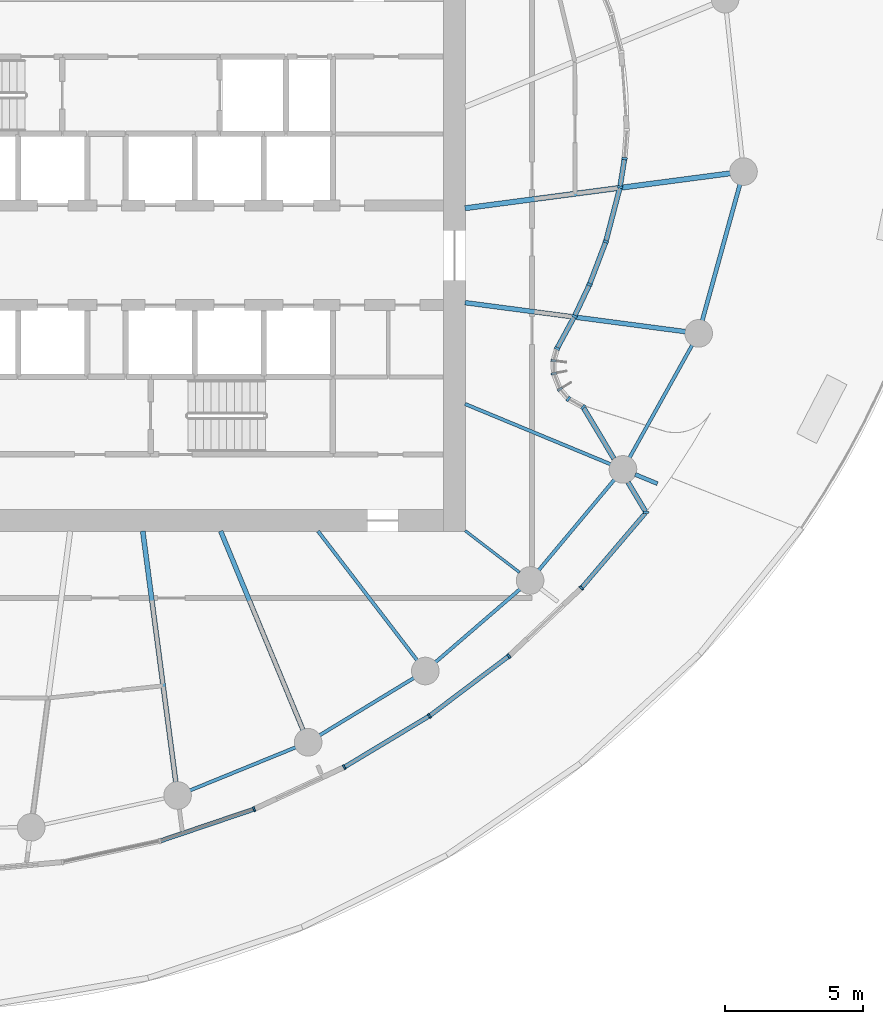
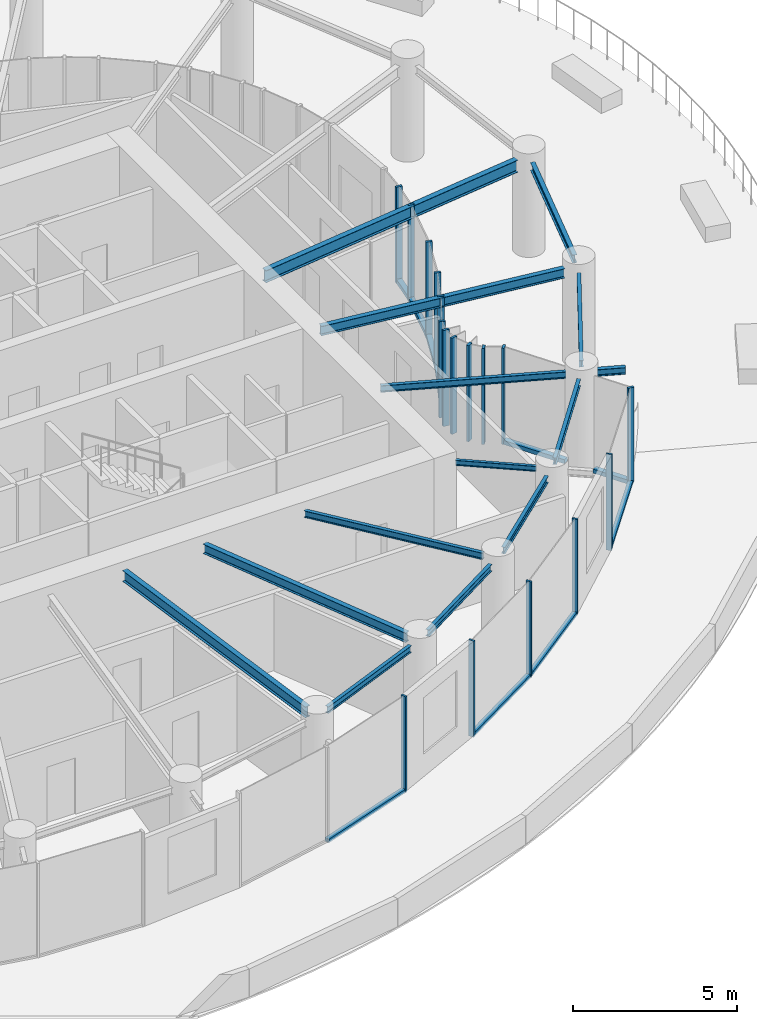
# One storey, part 3 of 21: 28 members, 14 beams, 4 elements without a shape of their own.
"""IFC4 building model written with IfcOpenShell, lengths in metres."""

from ifc_helpers import new_model, si_unit, direction, frame, origin, origin_2d, place, context, subcontext, project, spatial, rectangle, i_section, extrude, source, transform, mapped, material, layer, layer_set, material_profile, profile_set, type_object, element, aggregate, save


model = new_model("IFC4")

# Units and contexts
model_context = context("Model", 3, precision=1e-05, world=origin(), true_north=direction((0.0, 1.0)))
body_context = subcontext(model_context, "Body", "Model", "MODEL_VIEW")
ifc_project = project(units=[si_unit("LENGTHUNIT", "METRE"), si_unit("AREAUNIT", "SQUARE_METRE"), si_unit("VOLUMEUNIT", "CUBIC_METRE"), si_unit("PLANEANGLEUNIT", "RADIAN"), si_unit("MASSUNIT", "GRAM", prefix="KILO")], contexts=[model_context])

# Site, building, storey
site_placement = place(None, origin())
site = spatial("IfcSite", under=ifc_project, at=site_placement, CompositionType="ELEMENT")
building_placement = place(site_placement, origin())
building = spatial("IfcBuilding", under=site, at=building_placement, Name="Spindrift Exchange Tower", CompositionType="ELEMENT")
storey_placement = place(building_placement, frame((0.0, 0.0, 133.10009765625)))
storey = spatial("IfcBuildingStorey", under=building, at=storey_placement, Name="L31", CompositionType="ELEMENT", Elevation=133.10009765625)

# Beams
ifc_material_1 = material(Name="Steel Grade 300", Category="steel")
ifc_material_profile_1 = material_profile(ifc_material_1, i_section(OverallWidth=0.18994140625, OverallDepth=0.4541015625, WebThickness=0.008544921875, FlangeThickness=0.0126953125, FilletRadius=0.013916015625, at=origin_2d()), Name="460UB67.1")
ifc_profile_set_1 = profile_set([ifc_material_profile_1], Name="Steel Grade 300")
beam_type_1 = type_object("IfcBeamType", Name="Floor Beam 460UB67.1 Steel Grade 300", PredefinedType="BEAM", material=ifc_profile_set_1)
shared_shape_1 = source(origin(), body_context, "Body", "SweptSolid", [
    extrude(i_section(OverallWidth=0.18994140625, OverallDepth=0.4541015625, WebThickness=0.008544921875, FlangeThickness=0.0126953125, FilletRadius=0.013916015625, at=origin_2d()), origin(), (0.0, 0.0, 1.0), 9.688720703125),
])
beam_1_placement = place(storey_placement, frame((64.980224609375, 49.708984375, 3.352783203125), z_axis=(0.991448119245, 0.130501443846, 0.0), x_axis=(-0.130501443846, 0.991448119245, 0.0)))
element("IfcBeam", 1, at=beam_1_placement, inside=storey, type_object=beam_type_1, Name="L31 radial beam R01A", PredefinedType="BEAM", context=body_context, shape_type="MappedRepresentation", body=[
    mapped(shared_shape_1, transform((0.0, 0.0, 0.0), scale=1.0)),
])
ifc_material_profile_2 = material_profile(ifc_material_1, i_section(OverallWidth=0.177978515625, OverallDepth=0.403076171875, WebThickness=0.007568359375, FlangeThickness=0.010986328125, FilletRadius=0.013916015625, at=origin_2d()), Name="410UB53.7")
ifc_profile_set_2 = profile_set([ifc_material_profile_2], Name="Steel Grade 300")
beam_type_2 = type_object("IfcBeamType", Name="Floor Beam 410UB53.7 Steel Grade 300", PredefinedType="BEAM", material=ifc_profile_set_2)
shared_shape_2 = source(origin(), body_context, "Body", "SweptSolid", [
    extrude(i_section(OverallWidth=0.177978515625, OverallDepth=0.403076171875, WebThickness=0.007568359375, FlangeThickness=0.010986328125, FilletRadius=0.013916015625, at=origin_2d()), origin(), (0.0, 0.0, 1.0), 9.173583984375),
])
beam_2_placement = place(storey_placement, frame((53.31396484375, 38.019775390625, 3.37841796875), z_axis=(0.130510963431, -0.991446866163, 0.0), x_axis=(0.991446866163, 0.130510963431, 0.0)))
element("IfcBeam", 2, at=beam_2_placement, inside=storey, type_object=beam_type_2, Name="L31 radial beam R19A", PredefinedType="BEAM", context=body_context, shape_type="MappedRepresentation", body=[
    mapped(shared_shape_2, transform((0.0, 0.0, 0.0), scale=1.0)),
])
ifc_material_profile_3 = material_profile(ifc_material_1, i_section(OverallWidth=0.1708984375, OverallDepth=0.35205078125, WebThickness=0.0068359375, FlangeThickness=0.009765625, FilletRadius=0.013916015625, at=origin_2d()), Name="360UB44.7")
ifc_profile_set_3 = profile_set([ifc_material_profile_3], Name="Steel Grade 300")
beam_type_3 = type_object("IfcBeamType", Name="Floor Beam 360UB44.7 Steel Grade 300", PredefinedType="BEAM", material=ifc_profile_set_3)
shared_shape_3 = source(origin(), body_context, "Body", "SweptSolid", [
    extrude(i_section(OverallWidth=0.1708984375, OverallDepth=0.35205078125, WebThickness=0.0068359375, FlangeThickness=0.009765625, FilletRadius=0.013916015625, at=origin_2d()), origin(), (0.0, 0.0, 1.0), 7.794189453125),
])
beam_3_placement = place(storey_placement, frame((56.134521484375, 38.0185546875, 3.40380859375), z_axis=(0.382677309185, -0.923882068792, 0.0), x_axis=(0.923882068792, 0.382677309185, 0.0)))
element("IfcBeam", 3, at=beam_3_placement, inside=storey, type_object=beam_type_3, Name="L31 radial beam R20A", PredefinedType="BEAM", context=body_context, shape_type="MappedRepresentation", body=[
    mapped(shared_shape_3, transform((0.0, 0.0, 0.0), scale=1.0)),
])
ifc_material_profile_4 = material_profile(ifc_material_1, i_section(OverallWidth=0.1240234375, OverallDepth=0.248046875, WebThickness=0.0048828125, FlangeThickness=0.008056640625, FilletRadius=0.011962890625, at=origin_2d()), Name="250UB25.7")
ifc_profile_set_4 = profile_set([ifc_material_profile_4], Name="Steel Grade 300")
beam_type_4 = type_object("IfcBeamType", Name="Floor Beam 250UB25.7 Steel Grade 300", PredefinedType="BEAM", material=ifc_profile_set_4)
shared_shape_4 = source(origin(), body_context, "Body", "SweptSolid", [
    extrude(i_section(OverallWidth=0.1240234375, OverallDepth=0.248046875, WebThickness=0.0048828125, FlangeThickness=0.008056640625, FilletRadius=0.011962890625, at=origin_2d()), origin(), (0.0, 0.0, 1.0), 5.898193359375),
])
beam_4_placement = place(storey_placement, frame((59.6611328125, 38.015869140625, 3.455810546875), z_axis=(0.608752144407, -0.79336046453, 0.0), x_axis=(0.79336046453, 0.608752144407, 0.0)))
element("IfcBeam", 4, at=beam_4_placement, inside=storey, type_object=beam_type_4, Name="L31 radial beam R21A", PredefinedType="BEAM", context=body_context, shape_type="MappedRepresentation", body=[
    mapped(shared_shape_4, transform((0.0, 0.0, 0.0), scale=1.0)),
])
ifc_material_profile_5 = material_profile(ifc_material_1, i_section(OverallWidth=0.09912109375, OverallDepth=0.197998046875, WebThickness=0.00439453125, FlangeThickness=0.007080078125, FilletRadius=0.010986328125, at=origin_2d()), Name="200UB18.2")
ifc_profile_set_5 = profile_set([ifc_material_profile_5], Name="Steel Grade 300")
beam_type_5 = type_object("IfcBeamType", Name="Floor Beam 200UB18.2 Steel Grade 300", PredefinedType="BEAM", material=ifc_profile_set_5)
shared_shape_5 = source(origin(), body_context, "Body", "SweptSolid", [
    extrude(i_section(OverallWidth=0.09912109375, OverallDepth=0.197998046875, WebThickness=0.00439453125, FlangeThickness=0.007080078125, FilletRadius=0.010986328125, at=origin_2d()), origin(), (0.0, 0.0, 1.0), 2.48486328125),
])
beam_5_placement = place(storey_placement, frame((64.984130859375, 38.036865234375, 3.48095703125), z_axis=(0.793361189889, -0.608751199077, 0.0), x_axis=(0.608751199077, 0.793361189889, 0.0)))
element("IfcBeam", 5, at=beam_5_placement, inside=storey, type_object=beam_type_5, Name="L31 radial beam R22A", PredefinedType="BEAM", context=body_context, shape_type="MappedRepresentation", body=[
    mapped(shared_shape_5, transform((0.0, 0.0, 0.0), scale=1.0)),
])
shared_shape_6 = source(origin(), body_context, "Body", "SweptSolid", [
    extrude(i_section(OverallWidth=0.1240234375, OverallDepth=0.248046875, WebThickness=0.0048828125, FlangeThickness=0.008056640625, FilletRadius=0.011962890625, at=origin_2d()), origin(), (0.0, 0.0, 1.0), 5.708984375),
])
beam_6_placement = place(storey_placement, frame((64.9814453125, 42.622802734375, 3.455810546875), z_axis=(0.923889659334, -0.382658983138, 0.0), x_axis=(0.382658983138, 0.923889659334, 0.0)))
element("IfcBeam", 6, at=beam_6_placement, inside=storey, type_object=beam_type_4, Name="L31 radial beam R23A", PredefinedType="BEAM", context=body_context, shape_type="MappedRepresentation", body=[
    mapped(shared_shape_6, transform((0.0, 0.0, 0.0), scale=1.0)),
])
ifc_material_profile_6 = material_profile(ifc_material_1, i_section(OverallWidth=0.14599609375, OverallDepth=0.251953125, WebThickness=0.006103515625, FlangeThickness=0.008544921875, FilletRadius=0.011962890625, at=origin_2d()), Name="250UB31.4")
ifc_profile_set_6 = profile_set([ifc_material_profile_6], Name="Steel Grade 300")
beam_type_6 = type_object("IfcBeamType", Name="Cantilever Beam 250UB31.4 Steel Grade 300", PredefinedType="BEAM", material=ifc_profile_set_6)
shared_shape_7 = source(origin(), body_context, "Body", "SweptSolid", [
    extrude(i_section(OverallWidth=0.14599609375, OverallDepth=0.251953125, WebThickness=0.006103515625, FlangeThickness=0.008544921875, FilletRadius=0.011962890625, at=origin_2d()), origin(), (0.0, 0.0, 1.0), 0.87109375),
])
beam_7_placement = place(storey_placement, frame((71.142822265625, 40.07080078125, 3.453857421875), z_axis=(0.923804986422, -0.382863352989, 0.0), x_axis=(0.382863352989, 0.923804986422, 0.0)))
element("IfcBeam", 7, at=beam_7_placement, inside=storey, type_object=beam_type_6, Name="L31 cantilever beam R23T", PredefinedType="BEAM", context=body_context, shape_type="MappedRepresentation", body=[
    mapped(shared_shape_7, transform((0.0, 0.0, 0.0), scale=1.0)),
])
shared_shape_8 = source(origin(), body_context, "Body", "SweptSolid", [
    extrude(i_section(OverallWidth=0.1708984375, OverallDepth=0.35205078125, WebThickness=0.0068359375, FlangeThickness=0.009765625, FilletRadius=0.013916015625, at=origin_2d()), origin(), (0.0, 0.0, 1.0), 8.0537109375),
])
beam_8_placement = place(storey_placement, frame((64.980224609375, 46.291015625, 3.40380859375), z_axis=(0.991448103694, -0.130501561989, 0.0), x_axis=(0.130501561989, 0.991448103694, 0.0)))
element("IfcBeam", 8, at=beam_8_placement, inside=storey, type_object=beam_type_3, Name="L31 radial beam R24A", PredefinedType="BEAM", context=body_context, shape_type="MappedRepresentation", body=[
    mapped(shared_shape_8, transform((0.0, 0.0, 0.0), scale=1.0)),
])
ifc_material_profile_7 = material_profile(ifc_material_1, i_section(OverallWidth=0.1240234375, OverallDepth=0.248046875, WebThickness=0.0048828125, FlangeThickness=0.008056640625, FilletRadius=0.011962890625, at=origin_2d()), Name="250UB25.7")
ifc_profile_set_7 = profile_set([ifc_material_profile_7], Name="Steel Grade 300")
beam_type_7 = type_object("IfcBeamType", Name="Edge Beam 250UB25.7 Steel Grade 300", PredefinedType="SPANDREL", material=ifc_profile_set_7)
shared_shape_9 = source(origin(), body_context, "Body", "SweptSolid", [
    extrude(i_section(OverallWidth=0.1240234375, OverallDepth=0.248046875, WebThickness=0.0048828125, FlangeThickness=0.008056640625, FilletRadius=0.011962890625, at=origin_2d()), origin(), (0.0, 0.0, 1.0), 4.143798828125),
])
beam_9_placement = place(storey_placement, frame((55.0185546875, 28.6298828125, 3.455810546875), z_axis=(0.926113706975, 0.377244485385, 0.0), x_axis=(-0.377244485385, 0.926113706975, 0.0)))
element("IfcBeam", 9, at=beam_9_placement, inside=storey, type_object=beam_type_7, Name="L31 edge beam E19", PredefinedType="SPANDREL", context=body_context, shape_type="MappedRepresentation", body=[
    mapped(shared_shape_9, transform((0.0, 0.0, 0.0), scale=1.0)),
])
shared_shape_10 = source(origin(), body_context, "Body", "SweptSolid", [
    extrude(i_section(OverallWidth=0.1240234375, OverallDepth=0.248046875, WebThickness=0.0048828125, FlangeThickness=0.008056640625, FilletRadius=0.011962890625, at=origin_2d()), origin(), (0.0, 0.0, 1.0), 4.00634765625),
])
beam_10_placement = place(storey_placement, frame((59.7109375, 30.623779296875, 3.455810546875), z_axis=(0.854331495603, 0.519728482596, 0.0), x_axis=(-0.519728482596, 0.854331495603, 0.0)))
element("IfcBeam", 10, at=beam_10_placement, inside=storey, type_object=beam_type_7, Name="L31 edge beam E20", PredefinedType="SPANDREL", context=body_context, shape_type="MappedRepresentation", body=[
    mapped(shared_shape_10, transform((0.0, 0.0, 0.0), scale=1.0)),
])
shared_shape_11 = source(origin(), body_context, "Body", "SweptSolid", [
    extrude(i_section(OverallWidth=0.1240234375, OverallDepth=0.248046875, WebThickness=0.0048828125, FlangeThickness=0.008056640625, FilletRadius=0.011962890625, at=origin_2d()), origin(), (0.0, 0.0, 1.0), 4.052001953125),
])
beam_11_placement = place(storey_placement, frame((63.906982421875, 33.269287109375, 3.455810546875), z_axis=(0.756715968535, 0.65374379, 0.0), x_axis=(-0.65374379, 0.756715968535, 0.0)))
element("IfcBeam", 11, at=beam_11_placement, inside=storey, type_object=beam_type_7, Name="L31 edge beam E21", PredefinedType="SPANDREL", context=body_context, shape_type="MappedRepresentation", body=[
    mapped(shared_shape_11, transform((0.0, 0.0, 0.0), scale=1.0)),
])
shared_shape_12 = source(origin(), body_context, "Body", "SweptSolid", [
    extrude(i_section(OverallWidth=0.1240234375, OverallDepth=0.248046875, WebThickness=0.0048828125, FlangeThickness=0.008056640625, FilletRadius=0.011962890625, at=origin_2d()), origin(), (0.0, 0.0, 1.0), 4.282958984375),
])
beam_12_placement = place(storey_placement, frame((67.644287109375, 36.600341796875, 3.455810546875), z_axis=(0.641400288548, 0.767206406289, 0.0), x_axis=(-0.767206406289, 0.641400288548, 0.0)))
element("IfcBeam", 12, at=beam_12_placement, inside=storey, type_object=beam_type_7, Name="L31 edge beam E22", PredefinedType="SPANDREL", context=body_context, shape_type="MappedRepresentation", body=[
    mapped(shared_shape_12, transform((0.0, 0.0, 0.0), scale=1.0)),
])
shared_shape_13 = source(origin(), body_context, "Body", "SweptSolid", [
    extrude(i_section(OverallWidth=0.1240234375, OverallDepth=0.248046875, WebThickness=0.0048828125, FlangeThickness=0.008056640625, FilletRadius=0.011962890625, at=origin_2d()), origin(), (0.0, 0.0, 1.0), 4.6748046875),
])
beam_13_placement = place(storey_placement, frame((70.932861328125, 40.673828125, 3.455810546875), z_axis=(0.486587145143, 0.873632045075, 0.0), x_axis=(-0.873632045075, 0.486587145143, 0.0)))
element("IfcBeam", 13, at=beam_13_placement, inside=storey, type_object=beam_type_7, Name="L31 edge beam E23", PredefinedType="SPANDREL", context=body_context, shape_type="MappedRepresentation", body=[
    mapped(shared_shape_13, transform((0.0, 0.0, 0.0), scale=1.0)),
])
ifc_material_profile_8 = material_profile(ifc_material_1, i_section(OverallWidth=0.14892578125, OverallDepth=0.298095703125, WebThickness=0.005615234375, FlangeThickness=0.008056640625, FilletRadius=0.012939453125, at=origin_2d()), Name="310UB32.0")
ifc_profile_set_8 = profile_set([ifc_material_profile_8], Name="Steel Grade 300")
beam_type_8 = type_object("IfcBeamType", Name="Edge Beam 310UB32.0 Steel Grade 300", PredefinedType="SPANDREL", material=ifc_profile_set_8)
shared_shape_14 = source(origin(), body_context, "Body", "SweptSolid", [
    extrude(i_section(OverallWidth=0.14892578125, OverallDepth=0.298095703125, WebThickness=0.005615234375, FlangeThickness=0.008056640625, FilletRadius=0.012939453125, at=origin_2d()), origin(), (0.0, 0.0, 1.0), 5.118896484375),
])
beam_14_placement = place(storey_placement, frame((73.569091796875, 45.639892578125, 3.430908203125), z_axis=(0.266654866605, 0.963792084485, 0.0), x_axis=(-0.963792084485, 0.266654866605, 0.0)))
element("IfcBeam", 14, at=beam_14_placement, inside=storey, type_object=beam_type_8, Name="L31 edge beam E24", PredefinedType="SPANDREL", context=body_context, shape_type="MappedRepresentation", body=[
    mapped(shared_shape_14, transform((0.0, 0.0, 0.0), scale=1.0)),
])

# Curtain wall, members
ifc_material_2 = material(Name="Fritted laminated glass with bronze frame", Category="glass")
ifc_layer_1 = layer(ifc_material_2, 0.179931640625)
ifc_layer_set_1 = layer_set([ifc_layer_1], Name="ZONE 3 BRONZE FRITTED WALL")
curtain_wall_type_1 = type_object("IfcCurtainWallType", Name="ZONE 3 BRONZE FRITTED WALL", PredefinedType="NOTDEFINED", material=ifc_layer_set_1)
curtain_wall_1_placement = place(storey_placement, origin())
curtain_wall_1 = element("IfcCurtainWall", 15, at=curtain_wall_1_placement, inside=storey, type_object=curtain_wall_type_1, Name="L31 Zone 3 Bronze Fritted Wall run 4", PredefinedType="NOTDEFINED")
ifc_material_3 = material(Name="Bronze anodised aluminium", Category="aluminium")
ifc_material_profile_9 = material_profile(ifc_material_3, rectangle(XDim=0.070068359375, YDim=0.179931640625, at=origin_2d()), Name="ZONE 3 BRONZE FRITTED WALL MULLION 70X180")
ifc_profile_set_9 = profile_set([ifc_material_profile_9], Name="Bronze anodised aluminium")
member_type_1 = type_object("IfcMemberType", Name="ZONE 3 BRONZE FRITTED WALL MULLION 70X180", PredefinedType="MULLION", material=ifc_profile_set_9)
shared_shape_15 = source(origin(), body_context, "Body", "SweptSolid", [
    extrude(rectangle(XDim=0.070068359375, YDim=0.179931640625, at=origin_2d()), origin(), (0.0, 0.0, 1.0), 3.579833984375),
])
member_1_placement = place(storey_placement, frame((57.343505859375, 27.95458984375, 0.0), z_axis=(0.0, 0.0, 1.0), x_axis=(0.928167943647, 0.37216161595, 0.0)))
member_1 = element("IfcMember", 16, at=member_1_placement, type_object=member_type_1, Name="L31 mullion CW-3.23", PredefinedType="MULLION", context=body_context, shape_type="MappedRepresentation", body=[
    mapped(shared_shape_15, transform((0.0, 0.0, 0.0), scale=1.0)),
])
member_2_placement = place(storey_placement, frame((60.60791015625, 29.47412109375, 0.0), z_axis=(0.0, 0.0, 1.0), x_axis=(0.883049821579, 0.469279248006, 0.0)))
member_2 = element("IfcMember", 17, at=member_2_placement, type_object=member_type_1, Name="L31 mullion CW-3.24", PredefinedType="MULLION", context=body_context, shape_type="MappedRepresentation", body=[
    mapped(shared_shape_15, transform((0.0, 0.0, 0.0), scale=1.0)),
])

curtain_wall_2_placement = place(storey_placement, origin())
curtain_wall_2 = element("IfcCurtainWall", 18, at=curtain_wall_2_placement, inside=storey, type_object=curtain_wall_type_1, Name="L31 Zone 3 Bronze Fritted Wall run 5", PredefinedType="NOTDEFINED")
member_3_placement = place(storey_placement, frame((63.694091796875, 31.32958984375, 0.0), z_axis=(0.0, 0.0, 1.0), x_axis=(0.82883666761, 0.559490641947, 0.0)))
member_3 = element("IfcMember", 19, at=member_3_placement, type_object=member_type_1, Name="L31 mullion CW-3.25", PredefinedType="MULLION", context=body_context, shape_type="MappedRepresentation", body=[
    mapped(shared_shape_15, transform((0.0, 0.0, 0.0), scale=1.0)),
])
member_4_placement = place(storey_placement, frame((66.56884765625, 33.498046875, 0.0), z_axis=(0.0, 0.0, 1.0), x_axis=(0.765053480633, 0.643966747411, 0.0)))
member_4 = element("IfcMember", 20, at=member_4_placement, type_object=member_type_1, Name="L31 mullion CW-3.26", PredefinedType="MULLION", context=body_context, shape_type="MappedRepresentation", body=[
    mapped(shared_shape_15, transform((0.0, 0.0, 0.0), scale=1.0)),
])
member_5_placement = place(storey_placement, frame((69.19580078125, 35.96044921875, 0.0), z_axis=(0.0, 0.0, 1.0), x_axis=(0.690468894176, 0.723362085111, 0.0)))
member_5 = element("IfcMember", 21, at=member_5_placement, type_object=member_type_1, Name="L31 mullion CW-3.27", PredefinedType="MULLION", context=body_context, shape_type="MappedRepresentation", body=[
    mapped(shared_shape_15, transform((0.0, 0.0, 0.0), scale=1.0)),
])

# Member
ifc_material_profile_10 = material_profile(ifc_material_3, rectangle(XDim=0.159912109375, YDim=0.1298828125, at=origin_2d()), Name="ZONE 3 BRONZE FRITTED WALL TRANSOM 160X130")
ifc_profile_set_10 = profile_set([ifc_material_profile_10], Name="Bronze anodised aluminium")
member_type_2 = type_object("IfcMemberType", Name="ZONE 3 BRONZE FRITTED WALL TRANSOM 160X130", PredefinedType="USERDEFINED", material=ifc_profile_set_10)
shared_shape_16 = source(origin(), body_context, "Body", "SweptSolid", [
    extrude(rectangle(XDim=0.159912109375, YDim=0.1298828125, at=origin_2d()), origin(), (0.0, 0.0, 1.0), 3.53076171875),
])
member_6_placement = place(storey_placement, frame((53.966552734375, 26.809326171875, 0.06494140625), z_axis=(0.947017764418, 0.321181185435, 0.0), x_axis=(-0.321181185435, 0.947017764418, 0.0)))
member_6 = element("IfcMember", 22, at=member_6_placement, type_object=member_type_2, Name="L31 transom CW-3.22", ObjectType="TRANSOM", PredefinedType="USERDEFINED", context=body_context, shape_type="MappedRepresentation", body=[
    mapped(shared_shape_16, transform((0.0, 0.0, 0.0), scale=1.0)),
])

member_7_placement = place(storey_placement, frame((63.721923828125, 31.3505859375, 0.06494140625), z_axis=(0.798354103571, 0.602188280616, 0.0), x_axis=(-0.602188280616, 0.798354103571, 0.0)))
member_7 = element("IfcMember", 23, at=member_7_placement, type_object=member_type_2, Name="L31 transom CW-3.25", ObjectType="TRANSOM", PredefinedType="USERDEFINED", context=body_context, shape_type="MappedRepresentation", body=[
    mapped(shared_shape_16, transform((0.0, 0.0, 0.0), scale=1.0)),
])

shared_shape_17 = source(origin(), body_context, "Body", "SweptSolid", [
    extrude(rectangle(XDim=0.159912109375, YDim=0.1298828125, at=origin_2d()), origin(), (0.0, 0.0, 1.0), 3.531005859375),
])
member_8_placement = place(storey_placement, frame((60.637939453125, 29.4921875, 0.06494140625), z_axis=(0.857035018604, 0.515258165279, 0.0), x_axis=(-0.515258165279, 0.857035018604, 0.0)))
member_8 = element("IfcMember", 24, at=member_8_placement, type_object=member_type_2, Name="L31 transom CW-3.24", ObjectType="TRANSOM", PredefinedType="USERDEFINED", context=body_context, shape_type="MappedRepresentation", body=[
    mapped(shared_shape_17, transform((0.0, 0.0, 0.0), scale=1.0)),
])

aggregate(curtain_wall_1, [member_6, member_1, member_2, member_8])

shared_shape_18 = source(origin(), body_context, "Body", "SweptSolid", [
    extrude(rectangle(XDim=0.159912109375, YDim=0.1298828125, at=origin_2d()), origin(), (0.0, 0.0, 1.0), 3.530517578125),
])
member_9_placement = place(storey_placement, frame((69.218505859375, 35.987060546875, 0.06494140625), z_axis=(0.649246769943, 0.760577827522, 0.0), x_axis=(-0.760577827522, 0.649246769943, 0.0)))
member_9 = element("IfcMember", 25, at=member_9_placement, type_object=member_type_2, Name="L31 transom CW-3.27", ObjectType="TRANSOM", PredefinedType="USERDEFINED", context=body_context, shape_type="MappedRepresentation", body=[
    mapped(shared_shape_18, transform((0.0, 0.0, 0.0), scale=1.0)),
])

aggregate(curtain_wall_2, [member_3, member_7, member_4, member_5, member_9])

# Curtain wall, members
ifc_layer_2 = layer(ifc_material_2, 0.199951171875)
ifc_layer_set_2 = layer_set([ifc_layer_2], Name="SKY GARDEN BRONZE GLAZED WALL")
curtain_wall_type_2 = type_object("IfcCurtainWallType", Name="SKY GARDEN BRONZE GLAZED WALL", PredefinedType="NOTDEFINED", material=ifc_layer_set_2)
curtain_wall_3_placement = place(storey_placement, origin())
curtain_wall_3 = element("IfcCurtainWall", 26, at=curtain_wall_3_placement, inside=storey, type_object=curtain_wall_type_2, Name="L31 Sky Garden Bronze Glazed Wall run 6", PredefinedType="NOTDEFINED")
ifc_material_profile_11 = material_profile(ifc_material_3, rectangle(XDim=0.0849609375, YDim=0.199951171875, at=origin_2d()), Name="SKY GARDEN BRONZE GLAZED WALL MULLION 85X200")
ifc_profile_set_11 = profile_set([ifc_material_profile_11], Name="Bronze anodised aluminium")
member_type_3 = type_object("IfcMemberType", Name="SKY GARDEN BRONZE GLAZED WALL MULLION 85X200", PredefinedType="MULLION", material=ifc_profile_set_11)
shared_shape_19 = source(origin(), body_context, "Body", "SweptSolid", [
    extrude(rectangle(XDim=0.0849609375, YDim=0.199951171875, at=origin_2d()), origin(), (0.0, 0.0, 1.0), 3.579833984375),
])
member_10_placement = place(storey_placement, frame((71.533447265625, 38.69921875, 0.0), z_axis=(0.0, 0.0, 1.0), x_axis=(0.084013001167, 0.996464658498, 0.0)))
member_10 = element("IfcMember", 27, at=member_10_placement, type_object=member_type_3, Name="L31 mullion CW-G.28", PredefinedType="MULLION", context=body_context, shape_type="MappedRepresentation", body=[
    mapped(shared_shape_19, transform((0.0, 0.0, 0.0), scale=1.0)),
])
member_11_placement = place(storey_placement, frame((69.2568359375, 42.51123046875, 0.0), z_axis=(0.0, 0.0, 1.0), x_axis=(-0.719333347293, 0.694665052722, 0.0)))
member_11 = element("IfcMember", 28, at=member_11_placement, type_object=member_type_3, Name="L31 mullion CW-G.29", PredefinedType="MULLION", context=body_context, shape_type="MappedRepresentation", body=[
    mapped(shared_shape_19, transform((0.0, 0.0, 0.0), scale=1.0)),
])
member_12_placement = place(storey_placement, frame((68.722412109375, 42.8056640625, 0.0), z_axis=(0.0, 0.0, 1.0), x_axis=(-0.778922018723, 0.627120792789, 0.0)))
member_12 = element("IfcMember", 29, at=member_12_placement, type_object=member_type_3, Name="L31 mullion CW-G.30", PredefinedType="MULLION", context=body_context, shape_type="MappedRepresentation", body=[
    mapped(shared_shape_19, transform((0.0, 0.0, 0.0), scale=1.0)),
])
member_13_placement = place(storey_placement, frame((68.415771484375, 43.15625, 0.0), z_axis=(0.0, 0.0, 1.0), x_axis=(-0.517977594342, 0.855394185016, 0.0)))
member_13 = element("IfcMember", 30, at=member_13_placement, type_object=member_type_3, Name="L31 mullion CW-G.31", PredefinedType="MULLION", context=body_context, shape_type="MappedRepresentation", body=[
    mapped(shared_shape_19, transform((0.0, 0.0, 0.0), scale=1.0)),
])
member_14_placement = place(storey_placement, frame((68.19580078125, 43.72265625, 0.0), z_axis=(0.0, 0.0, 1.0), x_axis=(-0.195012834005, 0.980800690545, 0.0)))
member_14 = element("IfcMember", 31, at=member_14_placement, type_object=member_type_3, Name="L31 mullion CW-G.32", PredefinedType="MULLION", context=body_context, shape_type="MappedRepresentation", body=[
    mapped(shared_shape_19, transform((0.0, 0.0, 0.0), scale=1.0)),
])
member_15_placement = place(storey_placement, frame((68.185546875, 44.188232421875, 0.0), z_axis=(0.0, 0.0, 1.0), x_axis=(0.12743018287, 0.991847542969, 0.0)))
member_15 = element("IfcMember", 32, at=member_15_placement, type_object=member_type_3, Name="L31 mullion CW-G.33", PredefinedType="MULLION", context=body_context, shape_type="MappedRepresentation", body=[
    mapped(shared_shape_19, transform((0.0, 0.0, 0.0), scale=1.0)),
])

curtain_wall_4_placement = place(storey_placement, origin())
curtain_wall_4 = element("IfcCurtainWall", 33, at=curtain_wall_4_placement, inside=storey, type_object=curtain_wall_type_2, Name="L31 Sky Garden Bronze Glazed Wall run 7", PredefinedType="NOTDEFINED")
member_16_placement = place(storey_placement, frame((68.311767578125, 44.63134765625, 0.0), z_axis=(0.0, 0.0, 1.0), x_axis=(0.378235938635, 0.925709227957, 0.0)))
member_16 = element("IfcMember", 34, at=member_16_placement, type_object=member_type_3, Name="L31 mullion CW-G.34", PredefinedType="MULLION", context=body_context, shape_type="MappedRepresentation", body=[
    mapped(shared_shape_19, transform((0.0, 0.0, 0.0), scale=1.0)),
])
member_17_placement = place(storey_placement, frame((68.945068359375, 45.795654296875, 0.0), z_axis=(0.0, 0.0, 1.0), x_axis=(0.452378516066, 0.89182603584, 0.0)))
member_17 = element("IfcMember", 35, at=member_17_placement, type_object=member_type_3, Name="L31 mullion CW-G.35", PredefinedType="MULLION", context=body_context, shape_type="MappedRepresentation", body=[
    mapped(shared_shape_19, transform((0.0, 0.0, 0.0), scale=1.0)),
])
member_18_placement = place(storey_placement, frame((69.487548828125, 46.946044921875, 0.0), z_axis=(0.0, 0.0, 1.0), x_axis=(0.391201093368, 0.920305223579, 0.0)))
member_18 = element("IfcMember", 36, at=member_18_placement, type_object=member_type_3, Name="L31 mullion CW-G.36", PredefinedType="MULLION", context=body_context, shape_type="MappedRepresentation", body=[
    mapped(shared_shape_19, transform((0.0, 0.0, 0.0), scale=1.0)),
])
member_19_placement = place(storey_placement, frame((70.07861328125, 48.50146484375, 0.0), z_axis=(0.0, 0.0, 1.0), x_axis=(0.304109713039, 0.952637015046, 0.0)))
member_19 = element("IfcMember", 37, at=member_19_placement, type_object=member_type_3, Name="L31 mullion CW-G.37", PredefinedType="MULLION", context=body_context, shape_type="MappedRepresentation", body=[
    mapped(shared_shape_19, transform((0.0, 0.0, 0.0), scale=1.0)),
])
member_20_placement = place(storey_placement, frame((70.59326171875, 50.476318359375, 0.0), z_axis=(0.0, 0.0, 1.0), x_axis=(0.203624841766, 0.979048989487, 0.0)))
member_20 = element("IfcMember", 38, at=member_20_placement, type_object=member_type_3, Name="L31 mullion CW-G.38", PredefinedType="MULLION", context=body_context, shape_type="MappedRepresentation", body=[
    mapped(shared_shape_19, transform((0.0, 0.0, 0.0), scale=1.0)),
])
member_21_placement = place(storey_placement, frame((70.754150390625, 51.504638671875, 0.0), z_axis=(0.0, 0.0, 1.0), x_axis=(0.117890060153, 0.993026653075, 0.0)))
member_21 = element("IfcMember", 39, at=member_21_placement, type_object=member_type_3, Name="L31 mullion CW-G.39", PredefinedType="MULLION", context=body_context, shape_type="MappedRepresentation", body=[
    mapped(shared_shape_19, transform((0.0, 0.0, 0.0), scale=1.0)),
])

# Member
ifc_material_profile_12 = material_profile(ifc_material_3, rectangle(XDim=0.179931640625, YDim=0.14990234375, at=origin_2d()), Name="SKY GARDEN BRONZE GLAZED WALL TRANSOM 180X150")
ifc_profile_set_12 = profile_set([ifc_material_profile_12], Name="Bronze anodised aluminium")
member_type_4 = type_object("IfcMemberType", Name="SKY GARDEN BRONZE GLAZED WALL TRANSOM 180X150", PredefinedType="USERDEFINED", material=ifc_profile_set_12)
shared_shape_20 = source(origin(), body_context, "Body", "SweptSolid", [
    extrude(rectangle(XDim=0.179931640625, YDim=0.14990234375, at=origin_2d()), origin(), (0.0, 0.0, 1.0), 1.220703125),
])
member_22_placement = place(storey_placement, frame((71.51171875, 38.735595703125, 0.074951171875), z_axis=(-0.512847594465, 0.85847967061, 0.0), x_axis=(-0.85847967061, -0.512847594465, 0.0)))
member_22 = element("IfcMember", 40, at=member_22_placement, type_object=member_type_4, Name="L31 transom CW-G.28", ObjectType="TRANSOM", PredefinedType="USERDEFINED", context=body_context, shape_type="MappedRepresentation", body=[
    mapped(shared_shape_20, transform((0.0, 0.0, 0.0), scale=1.0)),
])

shared_shape_21 = source(origin(), body_context, "Body", "SweptSolid", [
    extrude(rectangle(XDim=0.179931640625, YDim=0.14990234375, at=origin_2d()), origin(), (0.0, 0.0, 1.0), 2.13427734375),
])
member_23_placement = place(storey_placement, frame((70.373046875, 40.64208984375, 0.074951171875), z_axis=(-0.512677882512, 0.858581032159, 0.0), x_axis=(-0.858581032159, -0.512677882512, 0.0)))
member_23 = element("IfcMember", 41, at=member_23_placement, type_object=member_type_4, Name="L31 transom CW-G.28b", ObjectType="TRANSOM", PredefinedType="USERDEFINED", context=body_context, shape_type="MappedRepresentation", body=[
    mapped(shared_shape_21, transform((0.0, 0.0, 0.0), scale=1.0)),
])

aggregate(curtain_wall_3, [member_10, member_22, member_23, member_11, member_12, member_13, member_14, member_15])

shared_shape_22 = source(origin(), body_context, "Body", "SweptSolid", [
    extrude(rectangle(XDim=0.179931640625, YDim=0.14990234375, at=origin_2d()), origin(), (0.0, 0.0, 1.0), 1.240478515625),
])
member_24_placement = place(storey_placement, frame((68.33203125, 44.668701171875, 0.074951171875), z_axis=(0.477886530366, 0.878421575381, 0.0), x_axis=(-0.878421575381, 0.477886530366, 0.0)))
member_24 = element("IfcMember", 42, at=member_24_placement, type_object=member_type_4, Name="L31 transom CW-G.34", ObjectType="TRANSOM", PredefinedType="USERDEFINED", context=body_context, shape_type="MappedRepresentation", body=[
    mapped(shared_shape_22, transform((0.0, 0.0, 0.0), scale=1.0)),
])

shared_shape_23 = source(origin(), body_context, "Body", "SweptSolid", [
    extrude(rectangle(XDim=0.179931640625, YDim=0.14990234375, at=origin_2d()), origin(), (0.0, 0.0, 1.0), 1.186767578125),
])
member_25_placement = place(storey_placement, frame((68.963134765625, 45.834228515625, 0.074951171875), z_axis=(0.42668852992, 0.904398639116, 0.0), x_axis=(-0.904398639116, 0.42668852992, 0.0)))
member_25 = element("IfcMember", 43, at=member_25_placement, type_object=member_type_4, Name="L31 transom CW-G.35", ObjectType="TRANSOM", PredefinedType="USERDEFINED", context=body_context, shape_type="MappedRepresentation", body=[
    mapped(shared_shape_23, transform((0.0, 0.0, 0.0), scale=1.0)),
])

shared_shape_24 = source(origin(), body_context, "Body", "SweptSolid", [
    extrude(rectangle(XDim=0.179931640625, YDim=0.14990234375, at=origin_2d()), origin(), (0.0, 0.0, 1.0), 1.578857421875),
])
member_26_placement = place(storey_placement, frame((69.502685546875, 46.98583984375, 0.074951171875), z_axis=(0.355204247974, 0.934788715283, 0.0), x_axis=(-0.934788715283, 0.355204247974, 0.0)))
member_26 = element("IfcMember", 44, at=member_26_placement, type_object=member_type_4, Name="L31 transom CW-G.36", ObjectType="TRANSOM", PredefinedType="USERDEFINED", context=body_context, shape_type="MappedRepresentation", body=[
    mapped(shared_shape_24, transform((0.0, 0.0, 0.0), scale=1.0)),
])

shared_shape_25 = source(origin(), body_context, "Body", "SweptSolid", [
    extrude(rectangle(XDim=0.179931640625, YDim=0.14990234375, at=origin_2d()), origin(), (0.0, 0.0, 1.0), 1.9560546875),
])
member_27_placement = place(storey_placement, frame((70.08935546875, 48.54248046875, 0.074951171875), z_axis=(0.252127188455, 0.967694104995, 0.0), x_axis=(-0.967694104995, 0.252127188455, 0.0)))
member_27 = element("IfcMember", 45, at=member_27_placement, type_object=member_type_4, Name="L31 transom CW-G.37", ObjectType="TRANSOM", PredefinedType="USERDEFINED", context=body_context, shape_type="MappedRepresentation", body=[
    mapped(shared_shape_25, transform((0.0, 0.0, 0.0), scale=1.0)),
])

shared_shape_26 = source(origin(), body_context, "Body", "SweptSolid", [
    extrude(rectangle(XDim=0.179931640625, YDim=0.14990234375, at=origin_2d()), origin(), (0.0, 0.0, 1.0), 0.955810546875),
])
member_28_placement = place(storey_placement, frame((70.599853515625, 50.518310546875, 0.074951171875), z_axis=(0.154532714983, 0.987987671988, 0.0), x_axis=(-0.987987671988, 0.154532714983, 0.0)))
member_28 = element("IfcMember", 46, at=member_28_placement, type_object=member_type_4, Name="L31 transom CW-G.38", ObjectType="TRANSOM", PredefinedType="USERDEFINED", context=body_context, shape_type="MappedRepresentation", body=[
    mapped(shared_shape_26, transform((0.0, 0.0, 0.0), scale=1.0)),
])

aggregate(curtain_wall_4, [member_16, member_24, member_17, member_25, member_18, member_26, member_19, member_27, member_20, member_28, member_21])

save(model, "model.ifc")
